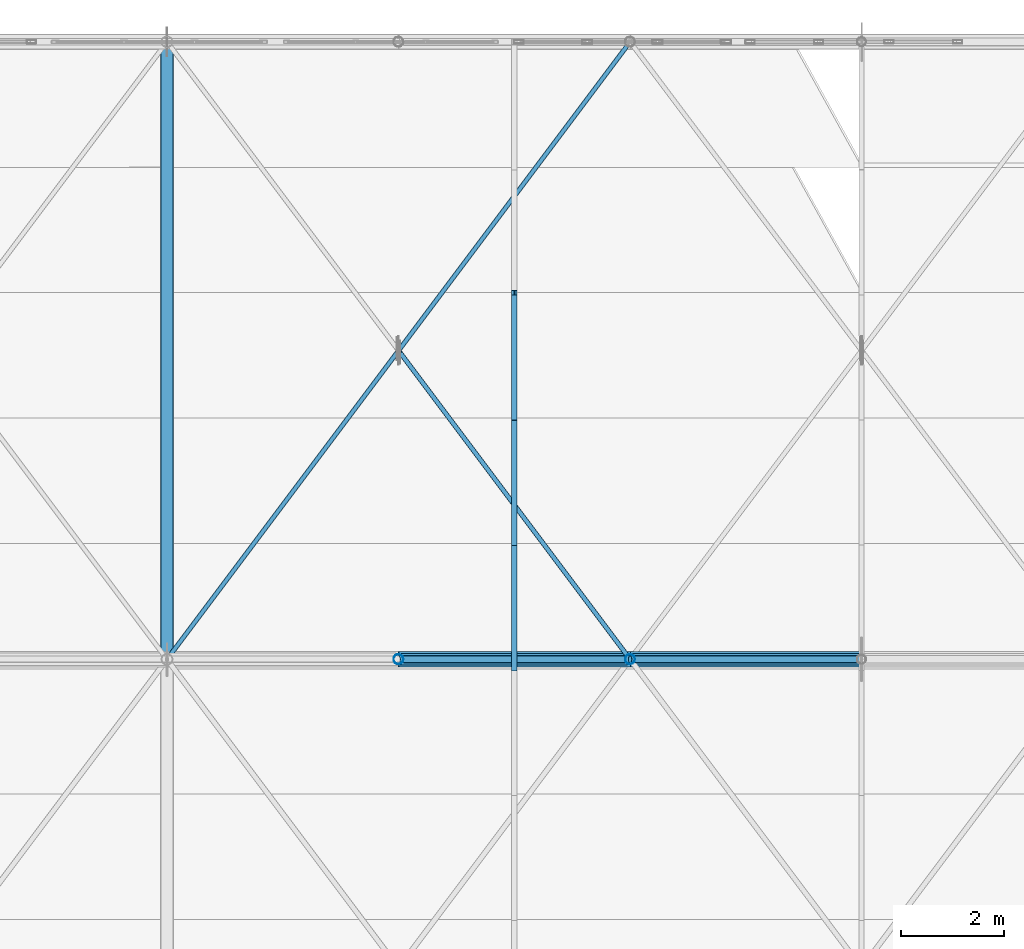
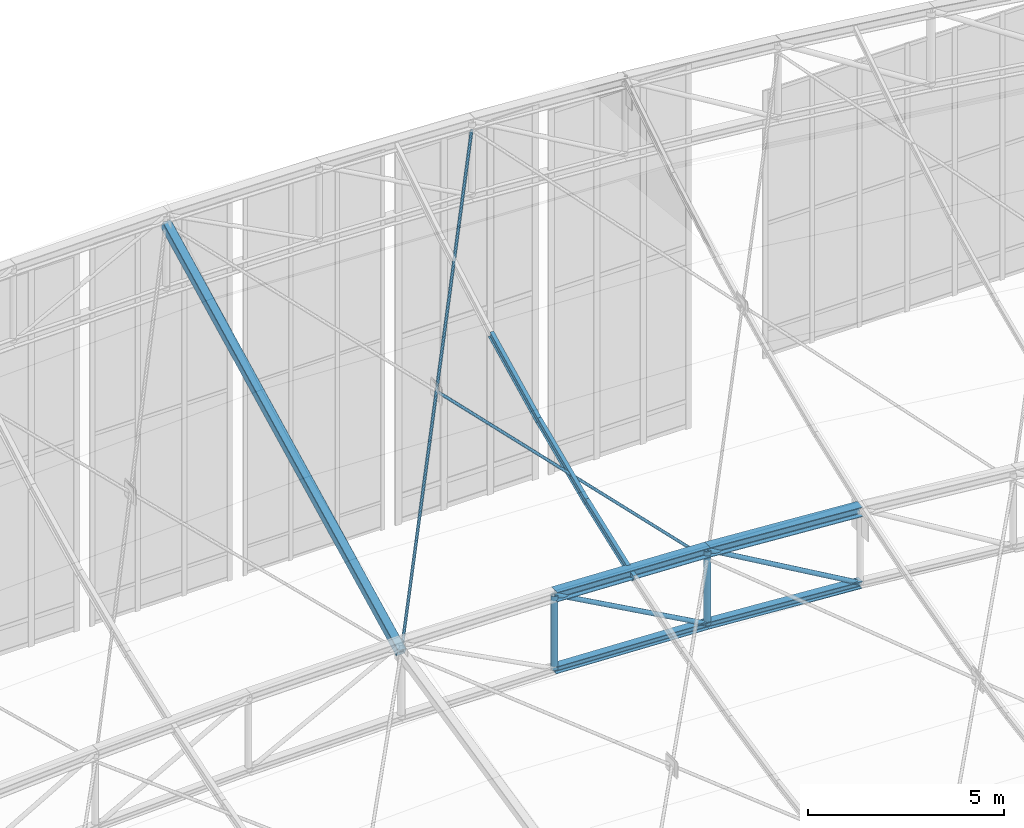
# One storey, part 126 of 262: 14 members.
"""IFC4 building model written with IfcOpenShell, lengths in metres."""

from ifc_helpers import new_model, si_unit, derived_unit, direction, frame, origin, origin_2d, place, context, subcontext, project, spatial, hollow_rectangle, hollow_circle, i_section, extrude, material, material_profile, profile_set, type_object, element, save


model = new_model("IFC4")

# Units and contexts
model_context = context("Model", 3, precision=1e-05, world=origin(), true_north=direction((0.0, 1.0)))
body_context = subcontext(model_context, "Body", "Model", "MODEL_VIEW")
ifc_project = project(units=[si_unit("LENGTHUNIT", "METRE"), si_unit("AREAUNIT", "SQUARE_METRE"), si_unit("VOLUMEUNIT", "CUBIC_METRE"), si_unit("PLANEANGLEUNIT", "RADIAN"), si_unit("MASSUNIT", "GRAM", prefix="KILO"), derived_unit("THERMALTRANSMITTANCEUNIT", [(si_unit("POWERUNIT", "WATT"), 1), (si_unit("LENGTHUNIT", "METRE"), -2), (si_unit("THERMODYNAMICTEMPERATUREUNIT", "KELVIN"), -1)])], contexts=[model_context])

# Site, building, storey
site_placement = place(None, origin())
site = spatial("IfcSite", under=ifc_project, at=site_placement, CompositionType="ELEMENT")
building_placement = place(site_placement, origin())
building = spatial("IfcBuilding", under=site, at=building_placement, Name="Almenara Railside Exhibition Hall", CompositionType="ELEMENT")
storey_placement = place(building_placement, frame((0.0, 0.0, 21.699951171875)))
storey = spatial("IfcBuildingStorey", under=building, at=storey_placement, Name="RF", CompositionType="ELEMENT", Elevation=21.699951171875)

# Members
ifc_material = material(Name="Structural steel S355JR", Category="steel")
ifc_material_profile_1 = material_profile(ifc_material, i_section(OverallWidth=0.300048828125, OverallDepth=0.300048828125, WebThickness=0.010986328125, FlangeThickness=0.01904296875, FilletRadius=0.027099609375, at=origin_2d()), Name="HEB 300")
ifc_profile_set_1 = profile_set([ifc_material_profile_1], Name="Structural steel S355JR")
member_type_1 = type_object("IfcMemberType", Name="Arched Inner Top Chord HEB 300 S355JR", PredefinedType="CHORD", material=ifc_profile_set_1)
member_1_placement = place(storey_placement, frame((43.5, 120.0, 4.980224609375), z_axis=(0.99917098071, 0.0, -0.04071057978), x_axis=(0.0, 1.0, 0.0)))
element("IfcMember", 1, at=member_1_placement, inside=storey, type_object=member_type_1, Name="MEM-TC-V1-06-07", PredefinedType="CHORD", context=body_context, shape_type="SweptSolid", body=[
    extrude(i_section(OverallWidth=0.300048828125, OverallDepth=0.300048828125, WebThickness=0.010986328125, FlangeThickness=0.01904296875, FilletRadius=0.027099609375, at=origin_2d()), origin(), (0.0, 0.0, 1.0), 4.503662109375),
])
member_2_placement = place(storey_placement, frame((48.0, 120.0, 4.796875), z_axis=(0.997701025897, 0.0, -0.067769188608), x_axis=(0.0, 1.0, 0.0)))
element("IfcMember", 2, at=member_2_placement, inside=storey, type_object=member_type_1, Name="MEM-TC-V1-06-08", PredefinedType="CHORD", context=body_context, shape_type="SweptSolid", body=[
    extrude(i_section(OverallWidth=0.300048828125, OverallDepth=0.300048828125, WebThickness=0.010986328125, FlangeThickness=0.01904296875, FilletRadius=0.027099609375, at=origin_2d()), origin(), (0.0, 0.0, 1.0), 4.51025390625),
])
ifc_material_profile_2 = material_profile(ifc_material, hollow_circle(Radius=0.04443359375, WallThickness=0.00390625, at=origin_2d()), Name="CHS 88.9x4")
ifc_profile_set_2 = profile_set([ifc_material_profile_2], Name="Structural steel S355JR")
member_type_2 = type_object("IfcMemberType", Name="Canopy Tie Brace CHS 88.9x4 S355JR", PredefinedType="BRACE", material=ifc_profile_set_2)
member_3_placement = place(storey_placement, frame((39.0, 120.0, 4.76123046875), z_axis=(0.559440333669, 0.745920444891, 0.361426621817), x_axis=(-0.8, 0.6, 0.0)))
element("IfcMember", 3, at=member_3_placement, inside=storey, type_object=member_type_2, Name="MEM-WB-V1-WB-CHS89-06-06-C", PredefinedType="BRACE", context=body_context, shape_type="SweptSolid", body=[
    extrude(hollow_circle(Radius=0.04443359375, WallThickness=0.00390625, at=origin_2d()), origin(), (0.0, 0.0, 1.0), 16.08740234375),
])
member_4_placement = place(storey_placement, frame((48.0, 120.0, 4.516845703125), z_axis=(-0.553138359931, 0.737537939806, 0.387396104936), x_axis=(-0.800007859198, -0.599989520926, 0.0)))
element("IfcMember", 4, at=member_4_placement, inside=storey, type_object=member_type_2, Name="MEM-WB-V1-WB-CHS89-06-06-S1", PredefinedType="BRACE", context=body_context, shape_type="SweptSolid", body=[
    extrude(hollow_circle(Radius=0.04443359375, WallThickness=0.00390625, at=origin_2d()), origin(), (0.0, 0.0, 1.0), 8.0869140625),
])
ifc_material_profile_3 = material_profile(ifc_material, hollow_rectangle(XDim=0.25, YDim=0.25, WallThickness=0.010009765625, InnerFilletRadius=0.010009765625, OuterFilletRadius=0.02001953125, at=origin_2d()), Name="SHS 250x250x10")
ifc_profile_set_3 = profile_set([ifc_material_profile_3], Name="Structural steel S355JR")
member_type_3 = type_object("IfcMemberType", Name="Heavy Gable Sway Strut SHS 250x250x10 S355JR", PredefinedType="BRACE", material=ifc_profile_set_3)
member_5_placement = place(storey_placement, frame((39.0, 120.0, 4.76123046875), z_axis=(0.0, 0.892669577236, 0.450711688197), x_axis=(-1.0, 0.0, 0.0)))
element("IfcMember", 5, at=member_5_placement, inside=storey, type_object=member_type_3, Name="MEM-ES-V1-06", PredefinedType="BRACE", context=body_context, shape_type="SweptSolid", body=[
    extrude(hollow_rectangle(XDim=0.25, YDim=0.25, WallThickness=0.010009765625, InnerFilletRadius=0.010009765625, OuterFilletRadius=0.02001953125, at=origin_2d()), origin(), (0.0, 0.0, 1.0), 13.44287109375),
])
ifc_material_profile_4 = material_profile(ifc_material, i_section(OverallWidth=0.110107421875, OverallDepth=0.219970703125, WebThickness=0.005859375, FlangeThickness=0.00927734375, FilletRadius=0.011962890625, at=origin_2d()), Name="IPE 220")
ifc_profile_set_4 = profile_set([ifc_material_profile_4], Name="Structural steel S355JR")
member_type_4 = type_object("IfcMemberType", Name="Heavy Hall Roof Purlin IPE 220 S355JR", PredefinedType="PURLIN", material=ifc_profile_set_4)
member_6_placement = place(storey_placement, frame((45.75, 119.81640625, 4.8115234375), z_axis=(0.0, 0.936171044044, 0.351544842508), x_axis=(-1.0, 0.0, 0.0)))
element("IfcMember", 6, at=member_6_placement, inside=storey, type_object=member_type_4, Name="MEM-PR-V1-PR-IPE220-05-23", PredefinedType="PURLIN", context=body_context, shape_type="SweptSolid", body=[
    extrude(i_section(OverallWidth=0.110107421875, OverallDepth=0.219970703125, WebThickness=0.005859375, FlangeThickness=0.00927734375, FilletRadius=0.011962890625, at=origin_2d()), origin(), (0.0, 0.0, 1.0), 2.60302734375),
])
member_7_placement = place(storey_placement, frame((45.75, 122.253173828125, 5.719970703125), z_axis=(0.0, 0.917223393452, 0.398373250237), x_axis=(-1.0, 0.0, 0.0)))
element("IfcMember", 7, at=member_7_placement, inside=storey, type_object=member_type_4, Name="MEM-PR-V1-PR-IPE220-05-24", PredefinedType="PURLIN", context=body_context, shape_type="SweptSolid", body=[
    extrude(i_section(OverallWidth=0.110107421875, OverallDepth=0.219970703125, WebThickness=0.005859375, FlangeThickness=0.00927734375, FilletRadius=0.011962890625, at=origin_2d()), origin(), (0.0, 0.0, 1.0), 2.65673828125),
])
member_8_placement = place(storey_placement, frame((45.75, 124.68994140625, 6.770263671875), z_axis=(0.0, 0.895376074457, 0.445310773831), x_axis=(-1.0, 0.0, 0.0)))
element("IfcMember", 8, at=member_8_placement, inside=storey, type_object=member_type_4, Name="MEM-PR-V1-PR-IPE220-05-25", PredefinedType="PURLIN", context=body_context, shape_type="SweptSolid", body=[
    extrude(i_section(OverallWidth=0.110107421875, OverallDepth=0.219970703125, WebThickness=0.005859375, FlangeThickness=0.00927734375, FilletRadius=0.011962890625, at=origin_2d()), origin(), (0.0, 0.0, 1.0), 2.721435546875),
])
ifc_material_profile_5 = material_profile(ifc_material, i_section(OverallWidth=0.219970703125, OverallDepth=0.219970703125, WebThickness=0.009521484375, FlangeThickness=0.01611328125, FilletRadius=0.01806640625, at=origin_2d()), Name="HEB 220")
ifc_profile_set_5 = profile_set([ifc_material_profile_5], Name="Structural steel S355JR")
member_type_5 = type_object("IfcMemberType", Name="Scroll Tie Chord HEB 220 S355JR", PredefinedType="CHORD", material=ifc_profile_set_5)
member_9_placement = place(storey_placement, frame((43.5, 120.0, 2.68017578125), z_axis=(0.99917098071, 0.0, -0.04071057978), x_axis=(0.0, 1.0, 0.0)))
element("IfcMember", 9, at=member_9_placement, inside=storey, type_object=member_type_5, Name="MEM-BC-V1-06-07", PredefinedType="CHORD", context=body_context, shape_type="SweptSolid", body=[
    extrude(i_section(OverallWidth=0.219970703125, OverallDepth=0.219970703125, WebThickness=0.009521484375, FlangeThickness=0.01611328125, FilletRadius=0.01806640625, at=origin_2d()), origin(), (0.0, 0.0, 1.0), 4.503662109375),
])
member_10_placement = place(storey_placement, frame((48.0, 120.0, 2.496826171875), z_axis=(0.997701025897, 0.0, -0.067769188608), x_axis=(0.0, 1.0, 0.0)))
element("IfcMember", 10, at=member_10_placement, inside=storey, type_object=member_type_5, Name="MEM-BC-V1-06-08", PredefinedType="CHORD", context=body_context, shape_type="SweptSolid", body=[
    extrude(i_section(OverallWidth=0.219970703125, OverallDepth=0.219970703125, WebThickness=0.009521484375, FlangeThickness=0.01611328125, FilletRadius=0.01806640625, at=origin_2d()), origin(), (0.0, 0.0, 1.0), 4.51025390625),
])
ifc_material_profile_6 = material_profile(ifc_material, hollow_circle(Radius=0.06982421875, WallThickness=0.0048828125, at=origin_2d()), Name="CHS 139.7x5")
ifc_profile_set_6 = profile_set([ifc_material_profile_6], Name="Structural steel S355JR")
member_type_6 = type_object("IfcMemberType", Name="Truss Inner Diagonal CHS 139.7x5 S355JR", PredefinedType="BRACE", material=ifc_profile_set_6)
member_11_placement = place(storey_placement, frame((43.5, 120.0, 4.980224609375), z_axis=(0.875525025835, 0.0, -0.483172773589), x_axis=(0.0, 1.0, 0.0)))
element("IfcMember", 11, at=member_11_placement, inside=storey, type_object=member_type_6, Name="MEM-TD-V1-06-07", PredefinedType="BRACE", context=body_context, shape_type="SweptSolid", body=[
    extrude(hollow_circle(Radius=0.06982421875, WallThickness=0.0048828125, at=origin_2d()), origin(), (0.0, 0.0, 1.0), 5.139892578125),
])
member_12_placement = place(storey_placement, frame((48.0, 120.0, 4.796875), z_axis=(0.865388781224, 0.0, -0.501101045031), x_axis=(0.0, 1.0, 0.0)))
element("IfcMember", 12, at=member_12_placement, inside=storey, type_object=member_type_6, Name="MEM-TD-V1-06-08", PredefinedType="BRACE", context=body_context, shape_type="SweptSolid", body=[
    extrude(hollow_circle(Radius=0.06982421875, WallThickness=0.0048828125, at=origin_2d()), origin(), (0.0, 0.0, 1.0), 5.199951171875),
])
ifc_material_profile_7 = material_profile(ifc_material, hollow_circle(Radius=0.096923828125, WallThickness=0.00634765625, at=origin_2d()), Name="CHS 193.7x6.3")
ifc_profile_set_7 = profile_set([ifc_material_profile_7], Name="Structural steel S355JR")
member_type_7 = type_object("IfcMemberType", Name="Truss Standard Vertical Strut CHS 193.7x6.3 S355JR", PredefinedType="BRACE", material=ifc_profile_set_7)
for number, where, z_axis, x_axis, name in (
    (13, (43.5, 120.0, 2.68017578125), (0.0, 0.0, 1.0), (1.0, 0.0, 0.0), "MEM-TV-V1-06-07"),
    (14, (48.0, 120.0, 2.496826171875), (0.0, 0.0, 1.0), (1.0, 0.0, 0.0), "MEM-TV-V1-06-08"),
):
    element("IfcMember", number, at=place(storey_placement, frame(where, z_axis=z_axis, x_axis=x_axis)), inside=storey, type_object=member_type_7, Name=name, PredefinedType="BRACE", context=body_context, shape_type="SweptSolid", body=[
        extrude(hollow_circle(Radius=0.096923828125, WallThickness=0.00634765625, at=origin_2d()), origin(), (0.0, 0.0, 1.0), 2.300048828125),
    ])

save(model, "model.ifc")
